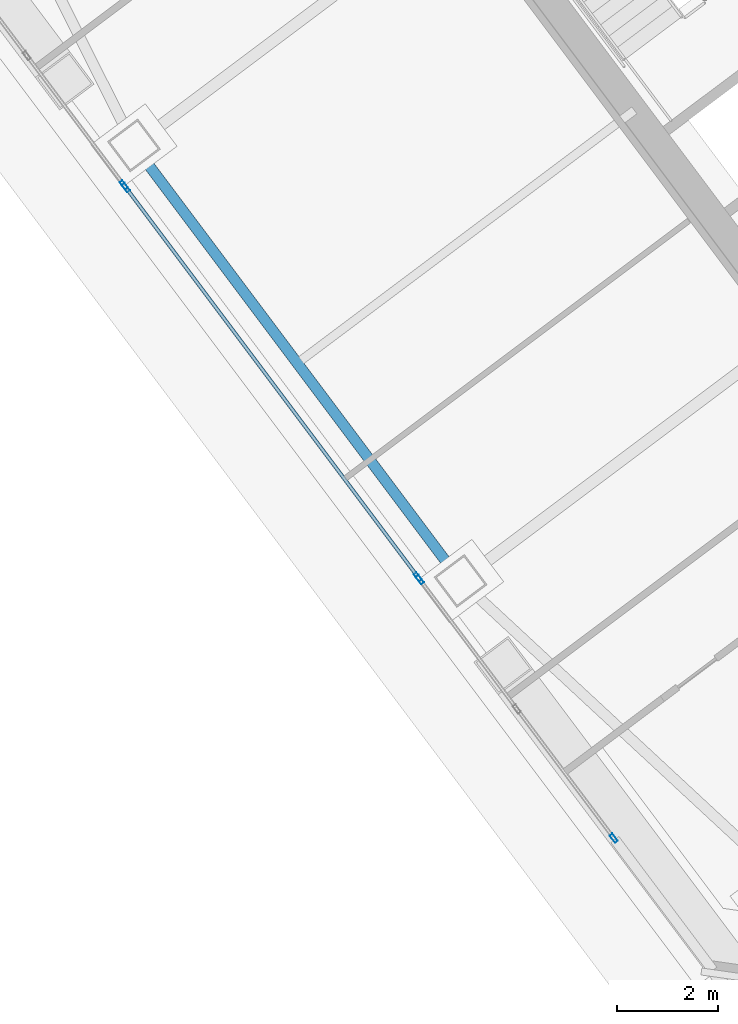
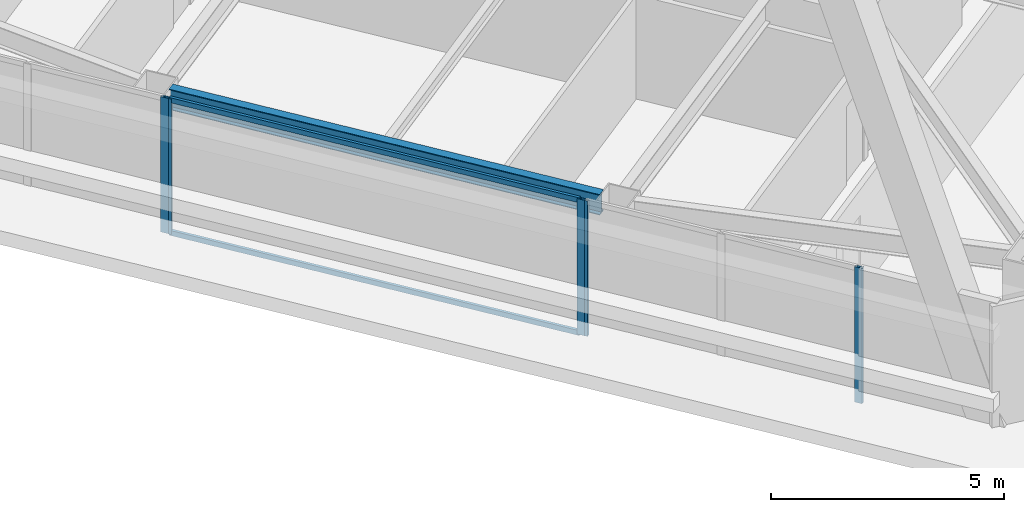
# One storey, part 27 of 65: 7 members, 1 beam, 3 elements without a shape of their own.
"""IFC4 building model written with IfcOpenShell, lengths in metres."""

from ifc_helpers import new_model, si_unit, direction, frame, origin, origin_2d, place, context, subcontext, project, spatial, hollow_rectangle, i_section, extrude, material, material_profile, profile_set, type_object, element, aggregate, save


model = new_model("IFC4")

# Units and contexts
model_context = context("Model", 3, precision=1e-05, world=origin(), true_north=direction((0.0, 1.0)))
body_context = subcontext(model_context, "Body", "Model", "MODEL_VIEW")
ifc_project = project(units=[si_unit("LENGTHUNIT", "METRE"), si_unit("AREAUNIT", "SQUARE_METRE"), si_unit("VOLUMEUNIT", "CUBIC_METRE"), si_unit("PLANEANGLEUNIT", "RADIAN"), si_unit("MASSUNIT", "GRAM", prefix="KILO")], contexts=[model_context])

# Site, building, storey
site_placement = place(None, origin())
site = spatial("IfcSite", under=ifc_project, at=site_placement, CompositionType="ELEMENT")
building_placement = place(site_placement, origin())
building = spatial("IfcBuilding", under=site, at=building_placement, Name="Tashvorn Skyway Center", CompositionType="ELEMENT")
storey_placement = place(building_placement, frame((0.0, 0.0, 157.0)))
storey = spatial("IfcBuildingStorey", under=building, at=storey_placement, Name="L42", CompositionType="ELEMENT", Elevation=157.0)

# Beam
ifc_material_1 = material(Name="Steel ASTM A992 Grade 50", Category="steel")
ifc_material_profile_1 = material_profile(ifc_material_1, i_section(OverallWidth=0.2109375, OverallDepth=0.5390625, WebThickness=0.01171875, FlangeThickness=0.018798828125, at=origin_2d()), Name="W21X73")
ifc_profile_set_1 = profile_set([ifc_material_profile_1], Name="Steel ASTM A992 Grade 50")
beam_type = type_object("IfcBeamType", Name="BM-SPANDREL-W21X73", PredefinedType="SPANDREL", material=ifc_profile_set_1)
beam_placement = place(storey_placement, frame((98.06201171875, 26.333984375, 3.1005859375), z_axis=(0.599988351091, -0.800008736549, 0.0), x_axis=(0.800008736549, 0.599988351091, 0.0)))
element("IfcBeam", 1, at=beam_placement, inside=storey, type_object=beam_type, Name="Tower 2 L42 Spandrel Beam 11", PredefinedType="SPANDREL", context=body_context, shape_type="SweptSolid", body=[
    extrude(i_section(OverallWidth=0.2109375, OverallDepth=0.5390625, WebThickness=0.01171875, FlangeThickness=0.018798828125, at=origin_2d()), origin(), (0.0, 0.0, 1.0), 10.06005859375),
])

# Curtain wall, members
ifc_material_2 = material(Name="Thermally broken bronze-anodized aluminium 6063-T6", Category="aluminium")
curtain_wall_type = type_object("IfcCurtainWallType", Name="CW-CW-Z4", PredefinedType="NOTDEFINED", material=ifc_material_2)
curtain_wall_1_placement = place(storey_placement, origin())
curtain_wall_1 = element("IfcCurtainWall", 2, at=curtain_wall_1_placement, inside=storey, type_object=curtain_wall_type, Name="Tower 2 L42 West Unitised Curtain Wall Glazing Group 1", PredefinedType="NOTDEFINED")
ifc_material_profile_2 = material_profile(ifc_material_2, hollow_rectangle(XDim=0.070068359375, YDim=0.179931640625, WallThickness=0.00390625, at=origin_2d()), Name="ALU-MULL-70x180")
ifc_profile_set_2 = profile_set([ifc_material_profile_2], Name="Thermally broken bronze-anodized aluminium 6063-T6")
member_type_1 = type_object("IfcMemberType", Name="CWM-CW-Z4", PredefinedType="MULLION", material=ifc_profile_set_2)
member_1_placement = place(storey_placement, frame((107.35888671875, 12.887939453125, 0.0), z_axis=(0.0, 0.0, 1.0), x_axis=(-0.799999999998, -0.600000000002, 0.0)))
member_1 = element("IfcMember", 3, at=member_1_placement, type_object=member_type_1, Name="CW-Z4 mullion 1", PredefinedType="MULLION", context=body_context, shape_type="SweptSolid", body=[
    extrude(hollow_rectangle(XDim=0.070068359375, YDim=0.179931640625, WallThickness=0.00390625, at=origin_2d()), origin(), (0.0, 0.0, 1.0), 3.550048828125),
])
member_2_placement = place(storey_placement, frame((103.512939453125, 18.01611328125, 0.0), z_axis=(0.0, 0.0, 1.0), x_axis=(-0.799999999998, -0.600000000002, 0.0)))
member_2 = element("IfcMember", 4, at=member_2_placement, type_object=member_type_1, Name="CW-Z4 mullion 3", PredefinedType="MULLION", context=body_context, shape_type="SweptSolid", body=[
    extrude(hollow_rectangle(XDim=0.070068359375, YDim=0.179931640625, WallThickness=0.00390625, at=origin_2d()), origin(), (0.0, 0.0, 1.0), 3.550048828125),
])
aggregate(curtain_wall_1, [member_1, member_2])

curtain_wall_2_placement = place(storey_placement, origin())
curtain_wall_2 = element("IfcCurtainWall", 5, at=curtain_wall_2_placement, inside=storey, type_object=curtain_wall_type, Name="Tower 2 L42 West Unitised Curtain Wall Glazing Group 2", PredefinedType="NOTDEFINED")
member_3_placement = place(storey_placement, frame((103.470947265625, 18.072021484375, 0.0), z_axis=(0.0, 0.0, 1.0), x_axis=(-0.799999999998, -0.600000000002, 0.0)))
member_3 = element("IfcMember", 6, at=member_3_placement, type_object=member_type_1, Name="CW-Z4 mullion 1", PredefinedType="MULLION", context=body_context, shape_type="SweptSolid", body=[
    extrude(hollow_rectangle(XDim=0.070068359375, YDim=0.179931640625, WallThickness=0.00390625, at=origin_2d()), origin(), (0.0, 0.0, 1.0), 3.550048828125),
])
member_4_placement = place(storey_placement, frame((97.680908203125, 25.7919921875, 0.0), z_axis=(0.0, 0.0, 1.0), x_axis=(-0.799999999998, -0.600000000002, 0.0)))
member_4 = element("IfcMember", 7, at=member_4_placement, type_object=member_type_1, Name="CW-Z4 mullion 2", PredefinedType="MULLION", context=body_context, shape_type="SweptSolid", body=[
    extrude(hollow_rectangle(XDim=0.070068359375, YDim=0.179931640625, WallThickness=0.00390625, at=origin_2d()), origin(), (0.0, 0.0, 1.0), 3.550048828125),
])

# Curtain wall, member
curtain_wall_3_placement = place(storey_placement, origin())
curtain_wall_3 = element("IfcCurtainWall", 8, at=curtain_wall_3_placement, inside=storey, type_object=curtain_wall_type, Name="Tower 2 L42 West Unitised Curtain Wall Glazing Group 3", PredefinedType="NOTDEFINED")
member_5_placement = place(storey_placement, frame((97.638916015625, 25.847900390625, 0.0), z_axis=(0.0, 0.0, 1.0), x_axis=(-0.799999999998, -0.600000000002, 0.0)))
member_5 = element("IfcMember", 9, at=member_5_placement, type_object=member_type_1, Name="CW-Z4 mullion 1", PredefinedType="MULLION", context=body_context, shape_type="SweptSolid", body=[
    extrude(hollow_rectangle(XDim=0.070068359375, YDim=0.179931640625, WallThickness=0.00390625, at=origin_2d()), origin(), (0.0, 0.0, 1.0), 3.550048828125),
])
aggregate(curtain_wall_3, [member_5])

# Member
ifc_material_profile_3 = material_profile(ifc_material_2, hollow_rectangle(XDim=0.070068359375, YDim=0.1298828125, WallThickness=0.00390625, at=origin_2d()), Name="ALU-TRAN-70x130")
ifc_profile_set_3 = profile_set([ifc_material_profile_3], Name="Thermally broken bronze-anodized aluminium 6063-T6")
member_type_2 = type_object("IfcMemberType", Name="CWT-CW-Z4", PredefinedType="USERDEFINED", material=ifc_profile_set_3)
member_6_placement = place(storey_placement, frame((103.449951171875, 18.10009765625, 0.034912109375), z_axis=(-0.600012232595, 0.799990825408, 0.0), x_axis=(-0.799990825408, -0.600012232595, 0.0)))
member_6 = element("IfcMember", 10, at=member_6_placement, type_object=member_type_2, Name="CW-Z4 transom 1.1", ObjectType="TRANSOM", PredefinedType="USERDEFINED", context=body_context, shape_type="SweptSolid", body=[
    extrude(hollow_rectangle(XDim=0.070068359375, YDim=0.1298828125, WallThickness=0.00390625, at=origin_2d()), origin(), (0.0, 0.0, 1.0), 9.579833984375),
])

member_7_placement = place(storey_placement, frame((103.449951171875, 18.10009765625, 3.514892578125), z_axis=(-0.600012232595, 0.799990825408, 0.0), x_axis=(-0.799990825408, -0.600012232595, 0.0)))
member_7 = element("IfcMember", 11, at=member_7_placement, type_object=member_type_2, Name="CW-Z4 transom 1.2", ObjectType="TRANSOM", PredefinedType="USERDEFINED", context=body_context, shape_type="SweptSolid", body=[
    extrude(hollow_rectangle(XDim=0.070068359375, YDim=0.1298828125, WallThickness=0.00390625, at=origin_2d()), origin(), (0.0, 0.0, 1.0), 9.579833984375),
])

aggregate(curtain_wall_2, [member_3, member_4, member_6, member_7])

save(model, "model.ifc")
